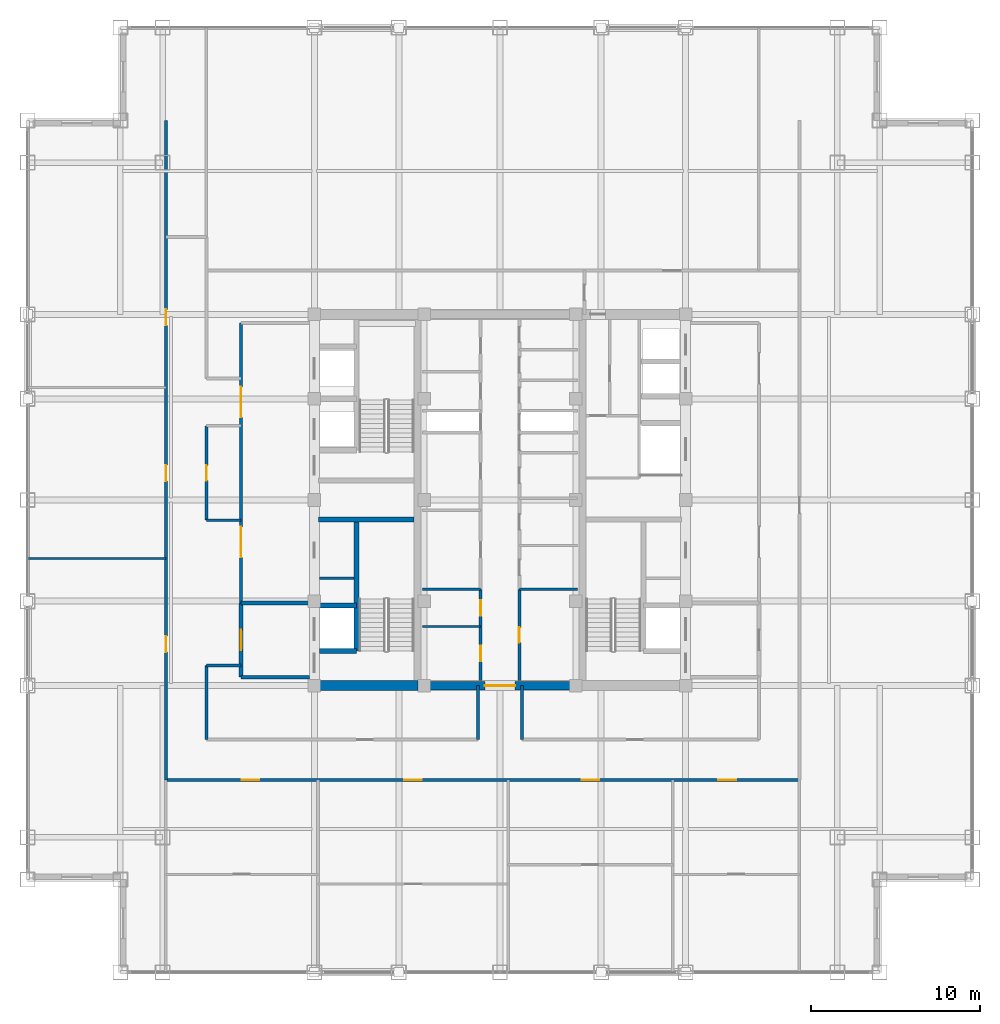
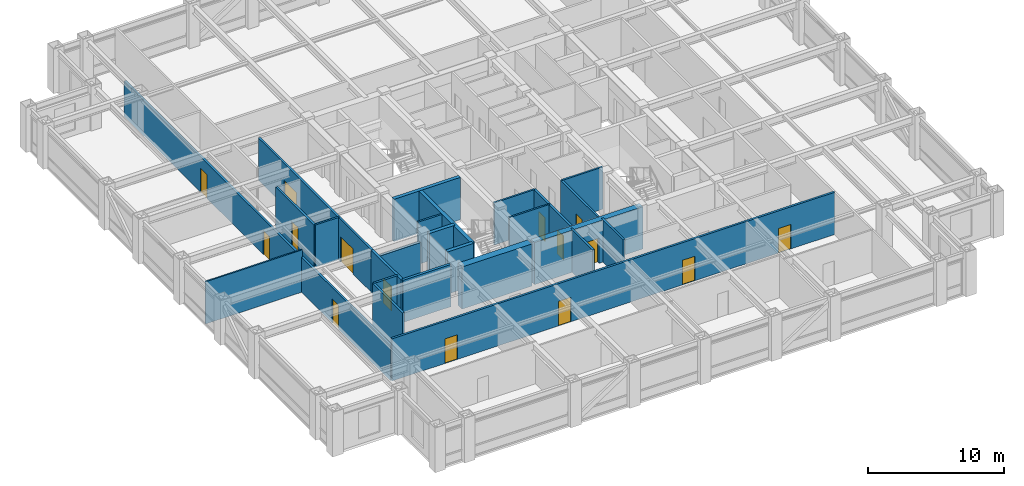
# One storey, part 18 of 22: 25 walls, 15 doors, 15 openings.
"""IFC4 building model written with IfcOpenShell, lengths in metres."""

from ifc_helpers import new_model, si_unit, direction, frame, frame_2d, origin, place, context, subcontext, project, spatial, rectangle, extrude, source, transform, mapped, material, layer, layer_set, type_object, element, fill, save


model = new_model("IFC4")

# Units and contexts
model_context = context("Model", 3, precision=1e-05, world=origin(), true_north=direction((0.0, 1.0)))
body_context = subcontext(model_context, "Body", "Model", "MODEL_VIEW")
ifc_project = project(units=[si_unit("LENGTHUNIT", "METRE"), si_unit("AREAUNIT", "SQUARE_METRE"), si_unit("VOLUMEUNIT", "CUBIC_METRE"), si_unit("PLANEANGLEUNIT", "RADIAN"), si_unit("MASSUNIT", "GRAM", prefix="KILO")], contexts=[model_context])

# Site, building, storey
site_placement = place(None, origin())
site = spatial("IfcSite", under=ifc_project, at=site_placement, CompositionType="ELEMENT")
building_placement = place(site_placement, origin())
building = spatial("IfcBuilding", under=site, at=building_placement, Name="Khorayat Bourse Tower", CompositionType="ELEMENT")
storey_placement = place(building_placement, frame((0.0, 0.0, 293.5)))
storey = spatial("IfcBuildingStorey", under=building, at=storey_placement, Name="L69", CompositionType="ELEMENT", Elevation=293.5)

# Walls
ifc_material_1 = material(Name="Concrete C60/75", Category="concrete")
ifc_layer_1 = layer(ifc_material_1, 0.60009765625)
ifc_layer_set_1 = layer_set([ifc_layer_1], Name="Concrete C60/75")
wall_type_1 = type_object("IfcWallType", Name="WAL-CORE-600", PredefinedType="SHEAR", material=ifc_layer_set_1)
shared_shape_1 = source(origin(), body_context, "Body", "SweptSolid", [
    extrude(rectangle(XDim=5.89990234375, YDim=0.60009765625, at=frame_2d((2.949951171875, 0.0))), origin(), (0.0, 0.0, 1.0), 3.780029296875),
])
wall_1_placement = place(storey_placement, frame((-10.75, -11.0, 0.0), z_axis=(0.0, 0.0, 1.0), x_axis=(1.0, 0.0, 0.0)))
element("IfcWall", 1, at=wall_1_placement, inside=storey, type_object=wall_type_1, Name="L69 Core Shear Wall PIER-WS", PredefinedType="SHEAR", context=body_context, shape_type="MappedRepresentation", body=[
    mapped(shared_shape_1, transform((0.0, 0.0, 0.0), scale=1.0)),
])
ifc_material_2 = material(Name="Concrete C50/60", Category="concrete")
ifc_layer_2 = layer(ifc_material_2, 0.300048828125)
ifc_layer_set_2 = layer_set([ifc_layer_2], Name="Concrete C50/60")
wall_type_2 = type_object("IfcWallType", Name="WAL-SHAFT-300", PredefinedType="SHEAR", material=ifc_layer_set_2)
shared_shape_2 = source(origin(), body_context, "Body", "SweptSolid", [
    extrude(rectangle(XDim=5.64990234375, YDim=0.300048828125, at=frame_2d((2.824951171875, 0.0))), origin(), (0.0, 0.0, 1.0), 3.780029296875),
])
wall_2_placement = place(storey_placement, frame((-10.75, -1.14990234375, 0.0), z_axis=(0.0, 0.0, 1.0), x_axis=(1.0, 0.0, 0.0)))
element("IfcWall", 2, at=wall_2_placement, inside=storey, type_object=wall_type_2, Name="L69 Core Shear Wall ST1-DIV", PredefinedType="SHEAR", context=body_context, shape_type="MappedRepresentation", body=[
    mapped(shared_shape_2, transform((0.0, 0.0, 0.0), scale=1.0)),
])

# Wall, opening, door
ifc_material_3 = material(Name="Concrete C52/65", Category="concrete")
ifc_layer_3 = layer(ifc_material_3, 0.5)
ifc_layer_set_3 = layer_set([ifc_layer_3], Name="Concrete C52/65")
wall_type_3 = type_object("IfcWallType", Name="WAL-CORE-500", PredefinedType="SHEAR", material=ifc_layer_set_3)
shared_shape_3 = source(origin(), body_context, "Body", "SweptSolid", [
    extrude(rectangle(XDim=9.2001953125, YDim=0.5, at=frame_2d((4.60009765625, 0.0))), origin(), (0.0, 0.0, 1.0), 3.780029296875),
])
wall_3_placement = place(storey_placement, frame((-4.60009765625, -11.0, 0.0), z_axis=(0.0, 0.0, 1.0), x_axis=(1.0, 0.0, 0.0)))
wall_3 = element("IfcWall", 3, at=wall_3_placement, inside=storey, type_object=wall_type_3, Name="L69 Core Shear Wall CORE-S", PredefinedType="SHEAR", context=body_context, shape_type="MappedRepresentation", body=[
    mapped(shared_shape_3, transform((0.0, 0.0, 0.0), scale=1.0)),
])
shared_shape_4 = source(origin(), body_context, "Body", "SweptSolid", [
    extrude(rectangle(XDim=1.800048828125, YDim=2.25, at=frame_2d((0.89990234375, 1.125))), frame((0.0, 0.260009765625, 0.0), z_axis=(0.0, -1.0, 0.0), x_axis=(1.0, 0.0, 0.0)), (0.0, 0.0, 1.0), 0.52001953125),
])
opening_1_placement = place(wall_3_placement, frame((3.699951171875, 0.0, 0.0)))
opening_1 = element("IfcOpeningElement", 4, at=opening_1_placement, cuts=wall_3, Name="Opening DI-03", PredefinedType="OPENING", context=body_context, shape_type="MappedRepresentation", body=[
    mapped(shared_shape_4, transform((0.0, 0.0, 0.0), scale=1.0)),
])
ifc_material_4 = material(Name="Fire-rated hardwood vision-panel double leaf", Category="wood")
door_type_1 = type_object("IfcDoorType", Name="DR-INT-CORR-1800", OperationType="NOTDEFINED", PredefinedType="DOOR", material=ifc_material_4)
shared_shape_5 = source(origin(), body_context, "Body", "SweptSolid", [
    extrude(rectangle(XDim=1.800048828125, YDim=2.25, at=frame_2d((0.89990234375, 1.125))), frame((0.0, 0.02490234375, 0.0), z_axis=(0.0, -1.0, 0.0), x_axis=(1.0, 0.0, 0.0)), (0.0, 0.0, 1.0), 0.050048828125),
])
door_1_placement = place(opening_1_placement, origin())
door_1 = element("IfcDoor", 5, at=door_1_placement, inside=storey, type_object=door_type_1, Name="L69 Central Core South Passage Door", OperationType="SINGLE_SWING_LEFT", OverallHeight=2.25, OverallWidth=1.800048828125, PredefinedType="DOOR", context=body_context, shape_type="MappedRepresentation", body=[
    mapped(shared_shape_5, transform((0.0, 0.0, 0.0), scale=1.0)),
])
fill(opening_1, door_1)

# Walls
ifc_material_5 = material(Name="Aerated concrete blockwork", Category="masonry")
ifc_layer_4 = layer(ifc_material_5, 0.219970703125)
ifc_layer_set_4 = layer_set([ifc_layer_4], Name="Aerated concrete blockwork")
wall_type_4 = type_object("IfcWallType", Name="WAL-PART-FF-220", PredefinedType="PARTITIONING", material=ifc_layer_set_4)
shared_shape_6 = source(origin(), body_context, "Body", "SweptSolid", [
    extrude(rectangle(XDim=4.050048828125, YDim=0.219970703125, at=frame_2d((2.02490234375, 0.0))), origin(), (0.0, 0.0, 1.0), 3.0849609375),
])
wall_4_placement = place(storey_placement, frame((-15.35009765625, -6.10009765625, 0.0), z_axis=(0.0, 0.0, 1.0), x_axis=(1.0, 0.0, 0.0)))
element("IfcWall", 6, at=wall_4_placement, inside=storey, type_object=wall_type_4, Name="L69 Partition WAL-L69-FFLW-N", PredefinedType="PARTITIONING", context=body_context, shape_type="MappedRepresentation", body=[
    mapped(shared_shape_6, transform((0.0, 0.0, 0.0), scale=1.0)),
])
shared_shape_7 = source(origin(), body_context, "Body", "SweptSolid", [
    extrude(rectangle(XDim=7.800048828125, YDim=0.300048828125, at=frame_2d((3.89990234375, 0.0))), origin(), (0.0, 0.0, 1.0), 3.780029296875),
])
wall_5_placement = place(storey_placement, frame((-8.5, -8.949951171875, 0.0), z_axis=(0.0, 0.0, 1.0), x_axis=(0.0, 1.0, 0.0)))
element("IfcWall", 7, at=wall_5_placement, inside=storey, type_object=wall_type_2, Name="L69 Partition WAL-L69-WPIER-SP", PredefinedType="SHEAR", context=body_context, shape_type="MappedRepresentation", body=[
    mapped(shared_shape_7, transform((0.0, 0.0, 0.0), scale=1.0)),
])
shared_shape_8 = source(origin(), body_context, "Body", "SweptSolid", [
    extrude(rectangle(XDim=2.199951171875, YDim=0.300048828125, at=frame_2d((1.10009765625, 0.0))), origin(), (0.0, 0.0, 1.0), 3.780029296875),
])
for number, where, z_axis, x_axis, name in (
    (8, (-10.699951171875, -8.949951171875, 0.0), (0.0, 0.0, 1.0), (1.0, 0.0, 0.0), "L69 Partition WAL-L69-WPIER-FF1S"),
    (9, (-10.699951171875, -6.25, 0.0), (0.0, 0.0, 1.0), (1.0, 0.0, 0.0), "L69 Partition WAL-L69-WPIER-FF1N"),
):
    element("IfcWall", number, at=place(storey_placement, frame(where, z_axis=z_axis, x_axis=x_axis)), inside=storey, type_object=wall_type_2, Name=name, PredefinedType="SHEAR", context=body_context, shape_type="MappedRepresentation", body=[
        mapped(shared_shape_8, transform((0.0, 0.0, 0.0), scale=1.0)),
    ])
ifc_material_6 = material(Name="Gypsum plasterboard twin-frame partition")
ifc_layer_5 = layer(ifc_material_6, 0.14990234375)
ifc_layer_set_5 = layer_set([ifc_layer_5], Name="Gypsum plasterboard twin-frame partition")
wall_type_5 = type_object("IfcWallType", Name="WAL-PART-SUITE-150", PredefinedType="PARTITIONING", material=ifc_layer_set_5)
shared_shape_9 = source(origin(), body_context, "Body", "SweptSolid", [
    extrude(rectangle(XDim=2.050048828125, YDim=0.14990234375, at=frame_2d((1.02490234375, 0.0))), origin(), (0.0, 0.0, 1.0), 3.780029296875),
])
wall_6_placement = place(storey_placement, frame((-10.699951171875, -4.64990234375, 0.0), z_axis=(0.0, 0.0, 1.0), x_axis=(1.0, 0.0, 0.0)))
element("IfcWall", 10, at=wall_6_placement, inside=storey, type_object=wall_type_5, Name="L69 Partition WAL-L69-WSRV-S0", PredefinedType="PARTITIONING", context=body_context, shape_type="MappedRepresentation", body=[
    mapped(shared_shape_9, transform((0.0, 0.0, 0.0), scale=1.0)),
])
shared_shape_10 = source(origin(), body_context, "Body", "SweptSolid", [
    extrude(rectangle(XDim=4.050048828125, YDim=0.219970703125, at=frame_2d((2.02490234375, 0.0))), origin(), (0.0, 0.0, 1.0), 3.780029296875),
])
wall_7_placement = place(storey_placement, frame((-15.35009765625, -10.5, 0.0), z_axis=(0.0, 0.0, 1.0), x_axis=(1.0, 0.0, 0.0)))
element("IfcWall", 11, at=wall_7_placement, inside=storey, type_object=wall_type_4, Name="L69 Partition WAL-L69-FFLW-S", PredefinedType="PARTITIONING", context=body_context, shape_type="MappedRepresentation", body=[
    mapped(shared_shape_10, transform((0.0, 0.0, 0.0), scale=1.0)),
])

# Wall, opening, door
shared_shape_11 = source(origin(), body_context, "Body", "SweptSolid", [
    extrude(rectangle(XDim=4.39990234375, YDim=0.219970703125, at=frame_2d((2.199951171875, 0.0))), origin(), (0.0, 0.0, 1.0), 3.780029296875),
])
wall_8_placement = place(storey_placement, frame((-15.35009765625, -10.5, 0.0), z_axis=(0.0, 0.0, 1.0), x_axis=(0.0, 1.0, 0.0)))
wall_8 = element("IfcWall", 12, at=wall_8_placement, inside=storey, type_object=wall_type_4, Name="L69 Partition WAL-L69-FFLW-W", PredefinedType="PARTITIONING", context=body_context, shape_type="MappedRepresentation", body=[
    mapped(shared_shape_11, transform((0.0, 0.0, 0.0), scale=1.0)),
])
shared_shape_12 = source(origin(), body_context, "Body", "SweptSolid", [
    extrude(rectangle(XDim=1.199951171875, YDim=2.199951171875, at=frame_2d((0.60009765625, 1.10009765625))), frame((0.0, 0.119873046875, 0.0), z_axis=(0.0, -1.0, 0.0), x_axis=(1.0, 0.0, 0.0)), (0.0, 0.0, 1.0), 0.239990234375),
])
opening_2_placement = place(wall_8_placement, frame((1.60009765625, 0.0, 0.0)))
opening_2 = element("IfcOpeningElement", 13, at=opening_2_placement, cuts=wall_8, Name="Opening DI-02", PredefinedType="OPENING", context=body_context, shape_type="MappedRepresentation", body=[
    mapped(shared_shape_12, transform((0.0, 0.0, 0.0), scale=1.0)),
])
ifc_material_7 = material(Name="Fire-rated steel double-seal leaf", Category="steel")
door_type_2 = type_object("IfcDoorType", Name="DR-INT-FFLOBBY-1200", OperationType="NOTDEFINED", PredefinedType="DOOR", material=ifc_material_7)
shared_shape_13 = source(origin(), body_context, "Body", "SweptSolid", [
    extrude(rectangle(XDim=1.199951171875, YDim=2.199951171875, at=frame_2d((0.60009765625, 1.10009765625))), frame((0.0, 0.02490234375, 0.0), z_axis=(0.0, -1.0, 0.0), x_axis=(1.0, 0.0, 0.0)), (0.0, 0.0, 1.0), 0.050048828125),
])
door_2_placement = place(opening_2_placement, origin())
door_2 = element("IfcDoor", 14, at=door_2_placement, inside=storey, type_object=door_type_2, Name="L69 West Firefighting Lobby Door", OperationType="SINGLE_SWING_LEFT", OverallHeight=2.199951171875, OverallWidth=1.199951171875, PredefinedType="DOOR", context=body_context, shape_type="MappedRepresentation", body=[
    mapped(shared_shape_13, transform((0.0, 0.0, 0.0), scale=1.0)),
])
fill(opening_2, door_2)

# Wall, openings, doors
ifc_material_8 = material(Name="Gypsum plasterboard acoustic stud wall")
ifc_layer_6 = layer(ifc_material_8, 0.179931640625)
ifc_layer_set_6 = layer_set([ifc_layer_6], Name="Gypsum plasterboard acoustic stud wall")
wall_type_6 = type_object("IfcWallType", Name="WAL-PART-CORR-180", PredefinedType="PARTITIONING", material=ifc_layer_set_6)
shared_shape_14 = source(origin(), body_context, "Body", "SweptSolid", [
    extrude(rectangle(XDim=16.60009765625, YDim=0.179931640625, at=frame_2d((8.300048828125, 0.0))), origin(), (0.0, 0.0, 1.0), 3.780029296875),
])
wall_9_placement = place(storey_placement, frame((-15.35009765625, -6.10009765625, 0.0), z_axis=(0.0, 0.0, 1.0), x_axis=(0.0, 1.0, 0.0)))
wall_9 = element("IfcWall", 15, at=wall_9_placement, inside=storey, type_object=wall_type_6, Name="L69 Partition WAL-L69-WLOB-W", PredefinedType="PARTITIONING", context=body_context, shape_type="MappedRepresentation", body=[
    mapped(shared_shape_14, transform((0.0, 0.0, 0.0), scale=1.0)),
])
shared_shape_15 = source(origin(), body_context, "Body", "SweptSolid", [
    extrude(rectangle(XDim=1.800048828125, YDim=2.25, at=frame_2d((0.89990234375, 1.125))), frame((0.0, 0.099853515625, 0.0), z_axis=(0.0, -1.0, 0.0), x_axis=(1.0, 0.0, 0.0)), (0.0, 0.0, 1.0), 0.199951171875),
])
opening_3_placement = place(wall_9_placement, frame((2.699951171875, 0.0, 0.0)))
opening_3 = element("IfcOpeningElement", 16, at=opening_3_placement, cuts=wall_9, Name="Opening DI-03", PredefinedType="OPENING", context=body_context, shape_type="MappedRepresentation", body=[
    mapped(shared_shape_15, transform((0.0, 0.0, 0.0), scale=1.0)),
])
opening_4_placement = place(wall_9_placement, frame((11.0, 0.0, 0.0)))
opening_4 = element("IfcOpeningElement", 17, at=opening_4_placement, cuts=wall_9, Name="Opening DI-03", PredefinedType="OPENING", context=body_context, shape_type="MappedRepresentation", body=[
    mapped(shared_shape_15, transform((0.0, 0.0, 0.0), scale=1.0)),
])
door_3_placement = place(opening_3_placement, origin())
door_3 = element("IfcDoor", 18, at=door_3_placement, inside=storey, type_object=door_type_1, Name="L69 West Core Lobby South Door", OperationType="SINGLE_SWING_LEFT", OverallHeight=2.25, OverallWidth=1.800048828125, PredefinedType="DOOR", context=body_context, shape_type="MappedRepresentation", body=[
    mapped(shared_shape_5, transform((0.0, 0.0, 0.0), scale=1.0)),
])
fill(opening_3, door_3)
door_4_placement = place(opening_4_placement, origin())
door_4 = element("IfcDoor", 19, at=door_4_placement, inside=storey, type_object=door_type_1, Name="L69 West Core Lobby North Door", OperationType="SINGLE_SWING_RIGHT", OverallHeight=2.25, OverallWidth=1.800048828125, PredefinedType="DOOR", context=body_context, shape_type="MappedRepresentation", body=[
    mapped(shared_shape_5, transform((0.0, 0.0, 0.0), scale=1.0)),
])
fill(opening_4, door_4)

# Walls
shared_shape_16 = source(origin(), body_context, "Body", "SweptSolid", [
    extrude(rectangle(XDim=3.4501953125, YDim=0.14990234375, at=frame_2d((1.72509765625, 0.0))), origin(), (0.0, 0.0, 1.0), 3.780029296875),
])
for number, where, z_axis, x_axis, name in (
    (20, (-4.60009765625, -5.300048828125, 0.0), (0.0, 0.0, 1.0), (1.0, 0.0, 0.0), "L69 Partition WAL-L69-FB1-NW"),
    (21, (1.14990234375, -5.300048828125, 0.0), (0.0, 0.0, 1.0), (1.0, 0.0, 0.0), "L69 Partition WAL-L69-FB1-NE"),
):
    element("IfcWall", number, at=place(storey_placement, frame(where, z_axis=z_axis, x_axis=x_axis)), inside=storey, type_object=wall_type_5, Name=name, PredefinedType="PARTITIONING", context=body_context, shape_type="MappedRepresentation", body=[
        mapped(shared_shape_16, transform((0.0, 0.0, 0.0), scale=1.0)),
    ])

# Wall, openings, doors
shared_shape_17 = source(origin(), body_context, "Body", "SweptSolid", [
    extrude(rectangle(XDim=5.39990234375, YDim=0.179931640625, at=frame_2d((2.699951171875, 0.0))), origin(), (0.0, 0.0, 1.0), 3.780029296875),
])
wall_10_placement = place(storey_placement, frame((-1.14990234375, -10.699951171875, 0.0), z_axis=(0.0, 0.0, 1.0), x_axis=(0.0, 1.0, 0.0)))
wall_10 = element("IfcWall", 22, at=wall_10_placement, inside=storey, type_object=wall_type_6, Name="L69 Partition WAL-L69-FB1W-L", PredefinedType="PARTITIONING", context=body_context, shape_type="MappedRepresentation", body=[
    mapped(shared_shape_17, transform((0.0, 0.0, 0.0), scale=1.0)),
])
shared_shape_18 = source(origin(), body_context, "Body", "SweptSolid", [
    extrude(rectangle(XDim=0.89990234375, YDim=2.14990234375, at=frame_2d((0.449951171875, 1.074951171875))), frame((0.0, 0.099853515625, 0.0), z_axis=(0.0, -1.0, 0.0), x_axis=(1.0, 0.0, 0.0)), (0.0, 0.0, 1.0), 0.199951171875),
])
opening_5_placement = place(wall_10_placement, frame((1.14990234375, 0.0, 0.0)))
opening_5 = element("IfcOpeningElement", 23, at=opening_5_placement, cuts=wall_10, Name="Opening DI-06", PredefinedType="OPENING", context=body_context, shape_type="MappedRepresentation", body=[
    mapped(shared_shape_18, transform((0.0, 0.0, 0.0), scale=1.0)),
])
opening_6_placement = place(wall_10_placement, frame((3.85009765625, 0.0, 0.0)))
opening_6 = element("IfcOpeningElement", 24, at=opening_6_placement, cuts=wall_10, Name="Opening DI-06", PredefinedType="OPENING", context=body_context, shape_type="MappedRepresentation", body=[
    mapped(shared_shape_18, transform((0.0, 0.0, 0.0), scale=1.0)),
])
ifc_material_9 = material(Name="Moisture-resistant laminate washroom door")
door_type_3 = type_object("IfcDoorType", Name="DR-INT-WC-900", OperationType="NOTDEFINED", PredefinedType="DOOR", material=ifc_material_9)
shared_shape_19 = source(origin(), body_context, "Body", "SweptSolid", [
    extrude(rectangle(XDim=0.89990234375, YDim=2.14990234375, at=frame_2d((0.449951171875, 1.074951171875))), frame((0.0, 0.02490234375, 0.0), z_axis=(0.0, -1.0, 0.0), x_axis=(1.0, 0.0, 0.0)), (0.0, 0.0, 1.0), 0.050048828125),
])
door_5_placement = place(opening_5_placement, origin())
door_5 = element("IfcDoor", 25, at=door_5_placement, inside=storey, type_object=door_type_3, Name="L69 Records Vault Store Door", OperationType="SINGLE_SWING_RIGHT", OverallHeight=2.14990234375, OverallWidth=0.89990234375, PredefinedType="DOOR", context=body_context, shape_type="MappedRepresentation", body=[
    mapped(shared_shape_19, transform((0.0, 0.0, 0.0), scale=1.0)),
])
fill(opening_5, door_5)
door_6_placement = place(opening_6_placement, origin())
door_6 = element("IfcDoor", 26, at=door_6_placement, inside=storey, type_object=door_type_3, Name="L69 Sprinkler Valve Plant Room Door", OperationType="SINGLE_SWING_LEFT", OverallHeight=2.14990234375, OverallWidth=0.89990234375, PredefinedType="DOOR", context=body_context, shape_type="MappedRepresentation", body=[
    mapped(shared_shape_19, transform((0.0, 0.0, 0.0), scale=1.0)),
])
fill(opening_6, door_6)

# Wall, opening, door
wall_11_placement = place(storey_placement, frame((1.14990234375, -10.699951171875, 0.0), z_axis=(0.0, 0.0, 1.0), x_axis=(0.0, 1.0, 0.0)))
wall_11 = element("IfcWall", 27, at=wall_11_placement, inside=storey, type_object=wall_type_6, Name="L69 Partition WAL-L69-FB1E-L", PredefinedType="PARTITIONING", context=body_context, shape_type="MappedRepresentation", body=[
    mapped(shared_shape_17, transform((0.0, 0.0, 0.0), scale=1.0)),
])
opening_7_placement = place(wall_11_placement, frame((2.25, 0.0, 0.0)))
opening_7 = element("IfcOpeningElement", 28, at=opening_7_placement, cuts=wall_11, Name="Opening DI-06", PredefinedType="OPENING", context=body_context, shape_type="MappedRepresentation", body=[
    mapped(shared_shape_18, transform((0.0, 0.0, 0.0), scale=1.0)),
])
door_7_placement = place(opening_7_placement, origin())
door_7 = element("IfcDoor", 29, at=door_7_placement, inside=storey, type_object=door_type_3, Name="L69 Telemetry Server Plant Room Door", OperationType="SINGLE_SWING_RIGHT", OverallHeight=2.14990234375, OverallWidth=0.89990234375, PredefinedType="DOOR", context=body_context, shape_type="MappedRepresentation", body=[
    mapped(shared_shape_19, transform((0.0, 0.0, 0.0), scale=1.0)),
])
fill(opening_7, door_7)

# Wall
ifc_material_10 = material(Name="Moisture-resistant masonry partition", Category="masonry")
ifc_layer_7 = layer(ifc_material_10, 0.139892578125)
ifc_layer_set_7 = layer_set([ifc_layer_7], Name="Moisture-resistant masonry partition")
wall_type_7 = type_object("IfcWallType", Name="WAL-PART-WET-140", PredefinedType="PARTITIONING", material=ifc_layer_set_7)
shared_shape_20 = source(origin(), body_context, "Body", "SweptSolid", [
    extrude(rectangle(XDim=3.4501953125, YDim=0.139892578125, at=frame_2d((1.72509765625, 0.0))), origin(), (0.0, 0.0, 1.0), 3.780029296875),
])
wall_12_placement = place(storey_placement, frame((-4.60009765625, -7.5, 0.0), z_axis=(0.0, 0.0, 1.0), x_axis=(1.0, 0.0, 0.0)))
element("IfcWall", 30, at=wall_12_placement, inside=storey, type_object=wall_type_7, Name="L69 Partition WAL-L69-FB1W-D1", PredefinedType="PARTITIONING", context=body_context, shape_type="MappedRepresentation", body=[
    mapped(shared_shape_20, transform((0.0, 0.0, 0.0), scale=1.0)),
])

# Wall, opening, door
shared_shape_21 = source(origin(), body_context, "Body", "SweptSolid", [
    extrude(rectangle(XDim=5.599853515625, YDim=0.179931640625, at=frame_2d((2.7998046875, 0.0))), origin(), (0.0, 0.0, 1.0), 3.780029296875),
])
wall_13_placement = place(storey_placement, frame((-17.39990234375, -1.199951171875, 0.0), z_axis=(0.0, 0.0, 1.0), x_axis=(0.0, 1.0, 0.0)))
wall_13 = element("IfcWall", 31, at=wall_13_placement, inside=storey, type_object=wall_type_6, Name="L69 Partition WAL-L69-PKWM-W", PredefinedType="PARTITIONING", context=body_context, shape_type="MappedRepresentation", body=[
    mapped(shared_shape_21, transform((0.0, 0.0, 0.0), scale=1.0)),
])
opening_8_placement = place(wall_13_placement, frame((2.35009765625, 0.0, 0.0)))
opening_8 = element("IfcOpeningElement", 32, at=opening_8_placement, cuts=wall_13, Name="Opening DI-06", PredefinedType="OPENING", context=body_context, shape_type="MappedRepresentation", body=[
    mapped(shared_shape_18, transform((0.0, 0.0, 0.0), scale=1.0)),
])
door_8_placement = place(opening_8_placement, origin())
door_8 = element("IfcDoor", 33, at=door_8_placement, inside=storey, type_object=door_type_3, Name="L69 West Inboard Focus Door", OperationType="SINGLE_SWING_LEFT", OverallHeight=2.14990234375, OverallWidth=0.89990234375, PredefinedType="DOOR", context=body_context, shape_type="MappedRepresentation", body=[
    mapped(shared_shape_19, transform((0.0, 0.0, 0.0), scale=1.0)),
])
fill(opening_8, door_8)

# Walls
shared_shape_22 = source(origin(), body_context, "Body", "SweptSolid", [
    extrude(rectangle(XDim=2.0498046875, YDim=0.14990234375, at=frame_2d((1.02490234375, 0.0))), origin(), (0.0, 0.0, 1.0), 3.780029296875),
])
wall_14_placement = place(storey_placement, frame((-17.39990234375, -1.199951171875, 0.0), z_axis=(0.0, 0.0, 1.0), x_axis=(1.0, 0.0, 0.0)))
element("IfcWall", 34, at=wall_14_placement, inside=storey, type_object=wall_type_5, Name="L69 Partition WAL-L69-PKWM-S", PredefinedType="PARTITIONING", context=body_context, shape_type="MappedRepresentation", body=[
    mapped(shared_shape_22, transform((0.0, 0.0, 0.0), scale=1.0)),
])
shared_shape_23 = source(origin(), body_context, "Body", "SweptSolid", [
    extrude(rectangle(XDim=2.0498046875, YDim=0.179931640625, at=frame_2d((1.02490234375, 0.0))), origin(), (0.0, 0.0, 1.0), 3.780029296875),
])
wall_15_placement = place(storey_placement, frame((-17.39990234375, -9.800048828125, 0.0), z_axis=(0.0, 0.0, 1.0), x_axis=(1.0, 0.0, 0.0)))
element("IfcWall", 35, at=wall_15_placement, inside=storey, type_object=wall_type_6, Name="L69 Partition WAL-L69-THRW-S", PredefinedType="PARTITIONING", context=body_context, shape_type="MappedRepresentation", body=[
    mapped(shared_shape_23, transform((0.0, 0.0, 0.0), scale=1.0)),
])

# Wall, openings, doors
shared_shape_24 = source(origin(), body_context, "Body", "SweptSolid", [
    extrude(rectangle(XDim=37.550048828125, YDim=0.179931640625, at=frame_2d((18.77490234375, 0.0))), origin(), (0.0, 0.0, 1.0), 3.780029296875),
])
wall_16_placement = place(storey_placement, frame((-19.800048828125, -16.60009765625, 0.0), z_axis=(0.0, 0.0, 1.0), x_axis=(1.0, 0.0, 0.0)))
wall_16 = element("IfcWall", 36, at=wall_16_placement, inside=storey, type_object=wall_type_6, Name="L69 Partition WAL-L69-SCORR", PredefinedType="PARTITIONING", context=body_context, shape_type="MappedRepresentation", body=[
    mapped(shared_shape_24, transform((0.0, 0.0, 0.0), scale=1.0)),
])
shared_shape_25 = source(origin(), body_context, "Body", "SweptSolid", [
    extrude(rectangle(XDim=1.050048828125, YDim=2.199951171875, at=frame_2d((0.52490234375, 1.10009765625))), frame((0.0, 0.099853515625, 0.0), z_axis=(0.0, -1.0, 0.0), x_axis=(1.0, 0.0, 0.0)), (0.0, 0.0, 1.0), 0.199951171875),
])
opening_9_placement = place(wall_16_placement, frame((4.48095703125, 0.0, 0.0)))
opening_9 = element("IfcOpeningElement", 37, at=opening_9_placement, cuts=wall_16, Name="Opening DI-04", PredefinedType="OPENING", context=body_context, shape_type="MappedRepresentation", body=[
    mapped(shared_shape_25, transform((0.0, 0.0, 0.0), scale=1.0)),
])
opening_10_placement = place(wall_16_placement, frame((14.119384765625, 0.0, 0.0)))
opening_10 = element("IfcOpeningElement", 38, at=opening_10_placement, cuts=wall_16, Name="Opening DI-04", PredefinedType="OPENING", context=body_context, shape_type="MappedRepresentation", body=[
    mapped(shared_shape_25, transform((0.0, 0.0, 0.0), scale=1.0)),
])
opening_11_placement = place(wall_16_placement, frame((24.633544921875, 0.0, 0.0)))
opening_11 = element("IfcOpeningElement", 39, at=opening_11_placement, cuts=wall_16, Name="Opening DI-04", PredefinedType="OPENING", context=body_context, shape_type="MappedRepresentation", body=[
    mapped(shared_shape_25, transform((0.0, 0.0, 0.0), scale=1.0)),
])
opening_12_placement = place(wall_16_placement, frame((32.7451171875, 0.0, 0.0)))
opening_12 = element("IfcOpeningElement", 40, at=opening_12_placement, cuts=wall_16, Name="Opening DI-04", PredefinedType="OPENING", context=body_context, shape_type="MappedRepresentation", body=[
    mapped(shared_shape_25, transform((0.0, 0.0, 0.0), scale=1.0)),
])
ifc_material_11 = material(Name="Fire-rated oak veneer suite entrance door")
door_type_4 = type_object("IfcDoorType", Name="DR-INT-SUITE-1050", OperationType="NOTDEFINED", PredefinedType="DOOR", material=ifc_material_11)
shared_shape_26 = source(origin(), body_context, "Body", "SweptSolid", [
    extrude(rectangle(XDim=1.050048828125, YDim=2.199951171875, at=frame_2d((0.52490234375, 1.10009765625))), frame((0.0, 0.02490234375, 0.0), z_axis=(0.0, -1.0, 0.0), x_axis=(1.0, 0.0, 0.0)), (0.0, 0.0, 1.0), 0.050048828125),
])
door_9_placement = place(opening_9_placement, origin())
door_9 = element("IfcDoor", 41, at=door_9_placement, inside=storey, type_object=door_type_4, Name="L69 Executive Boardroom S1 Door", OperationType="SINGLE_SWING_RIGHT", OverallHeight=2.199951171875, OverallWidth=1.050048828125, PredefinedType="DOOR", context=body_context, shape_type="MappedRepresentation", body=[
    mapped(shared_shape_26, transform((0.0, 0.0, 0.0), scale=1.0)),
])
fill(opening_9, door_9)
door_10_placement = place(opening_10_placement, origin())
door_10 = element("IfcDoor", 42, at=door_10_placement, inside=storey, type_object=door_type_4, Name="L69 Financial Training Classroom S2 Door", OperationType="SINGLE_SWING_LEFT", OverallHeight=2.199951171875, OverallWidth=1.050048828125, PredefinedType="DOOR", context=body_context, shape_type="MappedRepresentation", body=[
    mapped(shared_shape_26, transform((0.0, 0.0, 0.0), scale=1.0)),
])
fill(opening_10, door_10)
door_11_placement = place(opening_11_placement, origin())
door_11 = element("IfcDoor", 43, at=door_11_placement, inside=storey, type_object=door_type_4, Name="L69 Members Exchange Lounge S3 Door", OperationType="SINGLE_SWING_RIGHT", OverallHeight=2.199951171875, OverallWidth=1.050048828125, PredefinedType="DOOR", context=body_context, shape_type="MappedRepresentation", body=[
    mapped(shared_shape_26, transform((0.0, 0.0, 0.0), scale=1.0)),
])
fill(opening_11, door_11)
door_12_placement = place(opening_12_placement, origin())
door_12 = element("IfcDoor", 44, at=door_12_placement, inside=storey, type_object=door_type_4, Name="L69 Staff Tea Pantry S4 Door", OperationType="SINGLE_SWING_LEFT", OverallHeight=2.199951171875, OverallWidth=1.050048828125, PredefinedType="DOOR", context=body_context, shape_type="MappedRepresentation", body=[
    mapped(shared_shape_26, transform((0.0, 0.0, 0.0), scale=1.0)),
])
fill(opening_12, door_12)

# Walls
ifc_material_12 = material(Name="Gypsum plasterboard partition")
ifc_layer_8 = layer(ifc_material_12, 0.125)
ifc_layer_set_8 = layer_set([ifc_layer_8], Name="Gypsum plasterboard partition")
wall_type_8 = type_object("IfcWallType", Name="WAL-PART-ROOM-125", PredefinedType="PARTITIONING", material=ifc_layer_set_8)
shared_shape_27 = source(origin(), body_context, "Body", "SweptSolid", [
    extrude(rectangle(XDim=8.199951171875, YDim=0.125, at=frame_2d((4.10009765625, 0.0))), origin(), (0.0, 0.0, 1.0), 3.780029296875),
])
wall_17_placement = place(storey_placement, frame((-28.0, -3.471923828125, 0.0), z_axis=(0.0, 0.0, 1.0), x_axis=(1.0, 0.0, 0.0)))
element("IfcWall", 45, at=wall_17_placement, inside=storey, type_object=wall_type_8, Name="L69 Partition WAL-L69-WDV-1", PredefinedType="PARTITIONING", context=body_context, shape_type="MappedRepresentation", body=[
    mapped(shared_shape_27, transform((0.0, 0.0, 0.0), scale=1.0)),
])
shared_shape_28 = source(origin(), body_context, "Body", "SweptSolid", [
    extrude(rectangle(XDim=4.39990234375, YDim=0.179931640625, at=frame_2d((2.199951171875, 0.0))), origin(), (0.0, 0.0, 1.0), 3.780029296875),
])
wall_18_placement = place(storey_placement, frame((-17.39990234375, -14.199951171875, 0.0), z_axis=(0.0, 0.0, 1.0), x_axis=(0.0, 1.0, 0.0)))
element("IfcWall", 46, at=wall_18_placement, inside=storey, type_object=wall_type_6, Name="L69 Partition WAL-L69-PKSW-W", PredefinedType="PARTITIONING", context=body_context, shape_type="MappedRepresentation", body=[
    mapped(shared_shape_28, transform((0.0, 0.0, 0.0), scale=1.0)),
])
shared_shape_29 = source(origin(), body_context, "Body", "SweptSolid", [
    extrude(rectangle(XDim=3.199951171875, YDim=0.179931640625, at=frame_2d((1.60009765625, 0.0))), origin(), (0.0, 0.0, 1.0), 3.780029296875),
])
for number, where, z_axis, x_axis, name in (
    (47, (-1.300048828125, -14.199951171875, 0.0), (0.0, 0.0, 1.0), (0.0, 1.0, 0.0), "L69 Partition WAL-L69-PKSW-E"),
    (48, (1.300048828125, -14.199951171875, 0.0), (0.0, 0.0, 1.0), (0.0, 1.0, 0.0), "L69 Partition WAL-L69-PKSE-W"),
):
    element("IfcWall", number, at=place(storey_placement, frame(where, z_axis=z_axis, x_axis=x_axis)), inside=storey, type_object=wall_type_6, Name=name, PredefinedType="PARTITIONING", context=body_context, shape_type="MappedRepresentation", body=[
        mapped(shared_shape_29, transform((0.0, 0.0, 0.0), scale=1.0)),
    ])

# Wall, openings, doors
shared_shape_30 = source(origin(), body_context, "Body", "SweptSolid", [
    extrude(rectangle(XDim=39.10009765625, YDim=0.179931640625, at=frame_2d((19.550048828125, 0.0))), origin(), (0.0, 0.0, 1.0), 3.1640625),
])
wall_19_placement = place(storey_placement, frame((-19.800048828125, -16.60009765625, 0.0), z_axis=(0.0, 0.0, 1.0), x_axis=(0.0, 1.0, 0.0)))
wall_19 = element("IfcWall", 49, at=wall_19_placement, inside=storey, type_object=wall_type_6, Name="L69 Partition WAL-L69-WCORR", PredefinedType="PARTITIONING", context=body_context, shape_type="MappedRepresentation", body=[
    mapped(shared_shape_30, transform((0.0, 0.0, 0.0), scale=1.0)),
])
shared_shape_31 = source(origin(), body_context, "Body", "SweptSolid", [
    extrude(rectangle(XDim=0.949951171875, YDim=2.14990234375, at=frame_2d((0.47509765625, 1.074951171875))), frame((0.0, 0.099853515625, 0.0), z_axis=(0.0, -1.0, 0.0), x_axis=(1.0, 0.0, 0.0)), (0.0, 0.0, 1.0), 0.199951171875),
])
opening_13_placement = place(wall_19_placement, frame((7.589111328125, 0.0, 0.0)))
opening_13 = element("IfcOpeningElement", 50, at=opening_13_placement, cuts=wall_19, Name="Opening DI-05", PredefinedType="OPENING", context=body_context, shape_type="MappedRepresentation", body=[
    mapped(shared_shape_31, transform((0.0, 0.0, 0.0), scale=1.0)),
])
opening_14_placement = place(wall_19_placement, frame((17.718994140625, 0.0, 0.0)))
opening_14 = element("IfcOpeningElement", 51, at=opening_14_placement, cuts=wall_19, Name="Opening DI-05", PredefinedType="OPENING", context=body_context, shape_type="MappedRepresentation", body=[
    mapped(shared_shape_31, transform((0.0, 0.0, 0.0), scale=1.0)),
])
opening_15_placement = place(wall_19_placement, frame((26.955078125, 0.0, 0.0)))
opening_15 = element("IfcOpeningElement", 52, at=opening_15_placement, cuts=wall_19, Name="Opening DI-05", PredefinedType="OPENING", context=body_context, shape_type="MappedRepresentation", body=[
    mapped(shared_shape_31, transform((0.0, 0.0, 0.0), scale=1.0)),
])
ifc_material_13 = material(Name="Acoustic oak veneer office door")
door_type_5 = type_object("IfcDoorType", Name="DR-INT-OFFICE-950", OperationType="NOTDEFINED", PredefinedType="DOOR", material=ifc_material_13)
shared_shape_32 = source(origin(), body_context, "Body", "SweptSolid", [
    extrude(rectangle(XDim=0.949951171875, YDim=2.14990234375, at=frame_2d((0.47509765625, 1.074951171875))), frame((0.0, 0.02490234375, 0.0), z_axis=(0.0, -1.0, 0.0), x_axis=(1.0, 0.0, 0.0)), (0.0, 0.0, 1.0), 0.050048828125),
])
door_13_placement = place(opening_13_placement, origin())
door_13 = element("IfcDoor", 53, at=door_13_placement, inside=storey, type_object=door_type_5, Name="L69 Quantitative Research Study W1 Door", OperationType="SINGLE_SWING_RIGHT", OverallHeight=2.14990234375, OverallWidth=0.949951171875, PredefinedType="DOOR", context=body_context, shape_type="MappedRepresentation", body=[
    mapped(shared_shape_32, transform((0.0, 0.0, 0.0), scale=1.0)),
])
fill(opening_13, door_13)
door_14_placement = place(opening_14_placement, origin())
door_14 = element("IfcDoor", 54, at=door_14_placement, inside=storey, type_object=door_type_5, Name="L69 Executive Boardroom W2 Door", OperationType="SINGLE_SWING_LEFT", OverallHeight=2.14990234375, OverallWidth=0.949951171875, PredefinedType="DOOR", context=body_context, shape_type="MappedRepresentation", body=[
    mapped(shared_shape_32, transform((0.0, 0.0, 0.0), scale=1.0)),
])
fill(opening_14, door_14)
door_15_placement = place(opening_15_placement, origin())
door_15 = element("IfcDoor", 55, at=door_15_placement, inside=storey, type_object=door_type_5, Name="L69 Market Committee Conference Room W3 Door", OperationType="SINGLE_SWING_RIGHT", OverallHeight=2.14990234375, OverallWidth=0.949951171875, PredefinedType="DOOR", context=body_context, shape_type="MappedRepresentation", body=[
    mapped(shared_shape_32, transform((0.0, 0.0, 0.0), scale=1.0)),
])
fill(opening_15, door_15)

save(model, "model.ifc")
